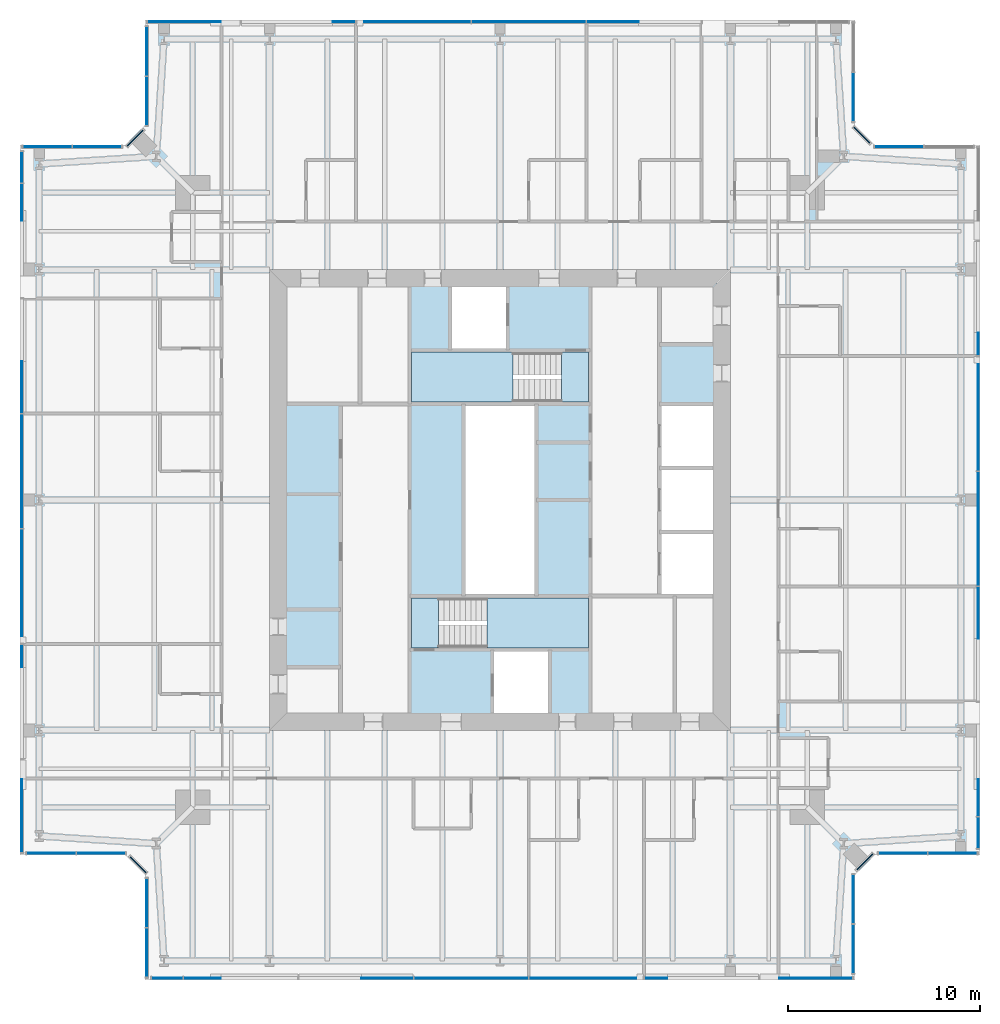
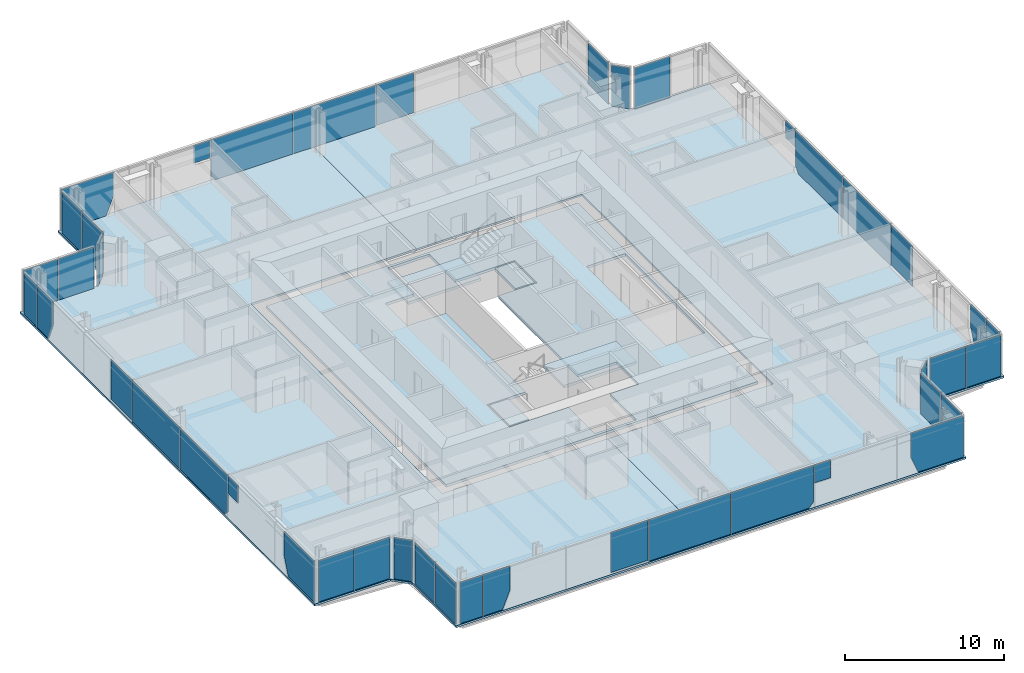
# One storey, part 10 of 18: 43 plates, 7 slabs, 18 elements without a shape of their own.
"""IFC4 building model written with IfcOpenShell, lengths in metres."""

from ifc_helpers import new_model, si_unit, direction, frame, origin, origin_2d, place, context, subcontext, project, spatial, polyline, rectangle, outline, extrude, material, layer, layer_set, type_object, element, aggregate, save


model = new_model("IFC4")

# Units and contexts
model_context = context("Model", 3, precision=1e-05, world=origin(), true_north=direction((0.0, 1.0)))
body_context = subcontext(model_context, "Body", "Model", "MODEL_VIEW")
ifc_project = project(units=[si_unit("LENGTHUNIT", "METRE"), si_unit("AREAUNIT", "SQUARE_METRE"), si_unit("VOLUMEUNIT", "CUBIC_METRE"), si_unit("PLANEANGLEUNIT", "RADIAN"), si_unit("MASSUNIT", "GRAM", prefix="KILO")], contexts=[model_context])

# Site, building, storey
site_placement = place(None, origin())
site = spatial("IfcSite", under=ifc_project, at=site_placement, CompositionType="ELEMENT")
building_placement = place(site_placement, origin())
building = spatial("IfcBuilding", under=site, at=building_placement, Name="Fenwick Lantern Interchange", CompositionType="ELEMENT")
storey_placement = place(building_placement, frame((0.0, 0.0, 266.199951171875)))
storey = spatial("IfcBuildingStorey", under=building, at=storey_placement, Name="L63", CompositionType="ELEMENT", Elevation=266.199951171875)

# Slabs
ifc_material_1 = material(Name="Concrete f'c 35 MPa", Category="concrete")
ifc_layer_1 = layer(ifc_material_1, 0.199951171875)
ifc_layer_set_1 = layer_set([ifc_layer_1], Name="CORE FLOOR SLAB 200")
slab_type_1 = type_object("IfcSlabType", Name="CORE FLOOR SLAB 200", PredefinedType="FLOOR", material=ifc_layer_set_1)
slab_1_placement = place(storey_placement, frame((0.0, 0.0, -0.199951171875)))
element("IfcSlab", 1, at=slab_1_placement, inside=storey, type_object=slab_type_1, Name="L63/SLAB/CORE", PredefinedType="FLOOR", context=body_context, shape_type="SweptSolid", body=[
    extrude(outline(polyline([(13.699951171875, 36.300048828125), (36.300048828125, 36.300048828125), (36.300048828125, 13.699951171875), (13.699951171875, 13.699951171875), (13.699951171875, 36.300048828125)]), holes=[polyline([(24.60009765625, 13.89990234375), (27.60009765625, 13.89990234375), (27.60009765625, 17.199951171875), (29.699951171875, 17.199951171875), (29.699951171875, 20.0), (26.89990234375, 20.0), (26.89990234375, 30.0), (29.699951171875, 30.0), (29.699951171875, 32.800048828125), (25.39990234375, 32.800048828125), (25.39990234375, 36.10009765625), (22.39990234375, 36.10009765625), (22.39990234375, 32.800048828125), (20.300048828125, 32.800048828125), (20.300048828125, 30.0), (23.10009765625, 30.0), (23.10009765625, 20.0), (20.300048828125, 20.0), (20.300048828125, 17.199951171875), (24.60009765625, 17.199951171875), (24.60009765625, 13.89990234375)]), polyline([(33.300048828125, 20.0), (36.10009765625, 20.0), (36.10009765625, 23.333251953125), (36.10009765625, 26.666748046875), (36.10009765625, 30.0), (33.300048828125, 30.0), (33.300048828125, 26.666748046875), (33.300048828125, 23.333251953125), (33.300048828125, 20.0)])]), origin(), (0.0, 0.0, 1.0), 0.199951171875),
])
ifc_material_2 = material(Name="Concrete f'c 35 MPa", Category="concrete")
ifc_layer_2 = layer(ifc_material_2, 0.14990234375)
ifc_layer_set_2 = layer_set([ifc_layer_2], Name="Concrete f'c 35 MPa")
slab_type_2 = type_object("IfcSlabType", Name="FLOOR SLAB 150", PredefinedType="FLOOR", material=ifc_layer_set_2)
slab_2_placement = place(storey_placement, frame((0.0, 0.0, -0.14990234375)))
element("IfcSlab", 2, at=slab_2_placement, inside=storey, type_object=slab_type_2, Name="L63/SLAB/FW", PredefinedType="FLOOR", context=body_context, shape_type="SweptSolid", body=[
    extrude(outline(polyline([(6.5, 0.0), (6.5, 5.5), (5.5, 6.5), (0.0, 6.5), (0.0, 43.5), (5.5, 43.5), (6.5, 44.5), (6.5, 50.0), (25.0, 50.0), (25.0, 37.0), (13.0, 37.0), (13.0, 13.0), (25.0, 13.0), (25.0, 0.0), (6.5, 0.0)])), origin(), (0.0, 0.0, 1.0), 0.14990234375),
])
slab_3_placement = place(storey_placement, frame((0.0, 0.0, -0.14990234375)))
element("IfcSlab", 3, at=slab_3_placement, inside=storey, type_object=slab_type_2, Name="L63/SLAB/FE", PredefinedType="FLOOR", context=body_context, shape_type="SweptSolid", body=[
    extrude(outline(polyline([(43.5, 50.0), (43.5, 44.5), (44.5, 43.5), (50.0, 43.5), (50.0, 6.5), (44.5, 6.5), (43.5, 5.5), (43.5, 0.0), (25.0, 0.0), (25.0, 13.0), (37.0, 13.0), (37.0, 37.0), (25.0, 37.0), (25.0, 50.0), (43.5, 50.0)])), origin(), (0.0, 0.0, 1.0), 0.14990234375),
])

# Curtain wall, plates
ifc_material_3 = material(Name="Aluminium curtain wall frame", Category="aluminium")
curtain_wall_type = type_object("IfcCurtainWallType", Name="HOTEL CURTAIN WALL", PredefinedType="USERDEFINED", material=ifc_material_3)
curtain_wall_1_placement = place(storey_placement, origin())
curtain_wall_1 = element("IfcCurtainWall", 4, at=curtain_wall_1_placement, inside=storey, type_object=curtain_wall_type, Name="Hotel curtain wall 01", ObjectType="HOTEL CURTAIN WALL", PredefinedType="USERDEFINED")
ifc_material_4 = material(Name="Vision glass, acoustic laminated double glazed unit", Category="glass")
ifc_layer_3 = layer(ifc_material_4, 0.052001953125)
ifc_layer_set_3 = layer_set([ifc_layer_3], Name="HOTEL CURTAIN WALL PANEL 52")
plate_type = type_object("IfcPlateType", Name="HOTEL CURTAIN WALL PANEL 52", PredefinedType="CURTAIN_PANEL", material=ifc_layer_set_3)
plate_1_placement = place(storey_placement, frame((7.6650390625, 0.10009765625, 0.0), z_axis=(0.0, 0.0, 1.0), x_axis=(1.0, 0.0, 0.0)))
plate_1 = element("IfcPlate", 5, at=plate_1_placement, type_object=plate_type, Name="L63/CW/01/P00", PredefinedType="CURTAIN_PANEL", context=body_context, shape_type="SweptSolid", body=[
    extrude(rectangle(XDim=1.610107421875, YDim=0.052001953125, at=origin_2d()), origin(), (0.0, 0.0, 1.0), 3.14990234375),
])
plate_2_placement = place(storey_placement, frame((6.60009765625, 0.10009765625, 0.0), z_axis=(0.0, 0.0, 1.0), x_axis=(1.0, 0.0, 0.0)))
plate_2 = element("IfcPlate", 6, at=plate_2_placement, type_object=plate_type, Name="L63/CW/01/P01a", PredefinedType="CURTAIN_PANEL", context=body_context, shape_type="SweptSolid", body=[
    extrude(outline(polyline([(1.929931640625, 0.0), (3.328369140625, 0.0), (3.859375, 1.31298828125), (3.859375, 3.150146484375), (1.929931640625, 3.150146484375), (1.929931640625, 0.0)])), frame((0.0, 0.02587890625, 0.0), z_axis=(0.0, -1.0, 0.0), x_axis=(1.0, 0.0, 0.0)), (0.0, 0.0, 1.0), 0.052001953125),
])
plate_3_placement = place(storey_placement, frame((6.60009765625, 0.10009765625, 0.0966796875), z_axis=(0.0, 0.0, 1.0), x_axis=(1.0, 0.0, 0.0)))
plate_3 = element("IfcPlate", 7, at=plate_3_placement, type_object=plate_type, Name="L63/CW/01/P02a", PredefinedType="CURTAIN_PANEL", context=body_context, shape_type="SweptSolid", body=[
    extrude(outline(polyline([(11.180419921875, 0.0), (13.8701171875, 0.0), (13.8701171875, 3.053466796875), (11.180419921875, 3.053466796875), (11.180419921875, 0.0)])), frame((0.0, 0.02587890625, 0.0), z_axis=(0.0, -1.0, 0.0), x_axis=(1.0, 0.0, 0.0)), (0.0, 0.0, 1.0), 0.052001953125),
])
plate_4_placement = place(storey_placement, frame((23.5, 0.10009765625, 0.0), z_axis=(0.0, 0.0, 1.0), x_axis=(1.0, 0.0, 0.0)))
plate_4 = element("IfcPlate", 8, at=plate_4_placement, type_object=plate_type, Name="L63/CW/01/P03", PredefinedType="CURTAIN_PANEL", context=body_context, shape_type="SweptSolid", body=[
    extrude(rectangle(XDim=5.93994140625, YDim=0.052001953125, at=origin_2d()), origin(), (0.0, 0.0, 1.0), 3.14990234375),
])
plate_5_placement = place(storey_placement, frame((6.60009765625, 0.10009765625, 0.0), z_axis=(0.0, 0.0, 1.0), x_axis=(1.0, 0.0, 0.0)))
plate_5 = element("IfcPlate", 9, at=plate_5_placement, type_object=plate_type, Name="L63/CW/01/P04a", PredefinedType="CURTAIN_PANEL", context=body_context, shape_type="SweptSolid", body=[
    extrude(outline(polyline([(19.929931640625, 0.0), (25.5341796875, 0.0), (25.8701171875, 0.380615234375), (25.8701171875, 3.150146484375), (19.929931640625, 3.150146484375), (19.929931640625, 0.0)])), frame((0.0, 0.02587890625, 0.0), z_axis=(0.0, -1.0, 0.0), x_axis=(1.0, 0.0, 0.0)), (0.0, 0.0, 1.0), 0.052001953125),
])
plate_6_placement = place(storey_placement, frame((6.60009765625, 0.10009765625, 1.79736328125), z_axis=(0.0, 0.0, 1.0), x_axis=(1.0, 0.0, 0.0)))
plate_6 = element("IfcPlate", 10, at=plate_6_placement, type_object=plate_type, Name="L63/CW/01/P05a", PredefinedType="CURTAIN_PANEL", context=body_context, shape_type="SweptSolid", body=[
    extrude(outline(polyline([(25.929931640625, 0.0), (27.1201171875, 0.0), (27.1201171875, 1.352783203125), (25.929931640625, 1.352783203125), (25.929931640625, 0.0)])), frame((0.0, 0.02587890625, 0.0), z_axis=(0.0, -1.0, 0.0), x_axis=(1.0, 0.0, 0.0)), (0.0, 0.0, 1.0), 0.052001953125),
])
plate_7_placement = place(storey_placement, frame((6.60009765625, 0.10009765625, 0.0), z_axis=(0.0, 0.0, 1.0), x_axis=(1.0, 0.0, 0.0)))
plate_7 = element("IfcPlate", 11, at=plate_7_placement, type_object=plate_type, Name="L63/CW/01/P06a", PredefinedType="CURTAIN_PANEL", context=body_context, shape_type="SweptSolid", body=[
    extrude(outline(polyline([(33.471435546875, 0.0), (36.739990234375, 0.0), (36.739990234375, 3.150146484375), (32.940673828125, 3.150146484375), (32.940673828125, 1.31298828125), (33.471435546875, 0.0)])), frame((0.0, 0.02587890625, 0.0), z_axis=(0.0, -1.0, 0.0), x_axis=(1.0, 0.0, 0.0)), (0.0, 0.0, 1.0), 0.052001953125),
])
aggregate(curtain_wall_1, [plate_1, plate_2, plate_3, plate_4, plate_5, plate_6, plate_7])

curtain_wall_2_placement = place(storey_placement, origin())
curtain_wall_2 = element("IfcCurtainWall", 12, at=curtain_wall_2_placement, inside=storey, type_object=curtain_wall_type, Name="Hotel curtain wall 02", ObjectType="HOTEL CURTAIN WALL", PredefinedType="USERDEFINED")
plate_8_placement = place(storey_placement, frame((43.39990234375, 1.625244140625, 0.0), z_axis=(0.0, 0.0, 1.0), x_axis=(0.0, 1.0, 0.0)))
plate_8 = element("IfcPlate", 13, at=plate_8_placement, type_object=plate_type, Name="L63/CW/02/P00", PredefinedType="CURTAIN_PANEL", context=body_context, shape_type="SweptSolid", body=[
    extrude(rectangle(XDim=2.53076171875, YDim=0.052001953125, at=origin_2d()), origin(), (0.0, 0.0, 1.0), 3.14990234375),
])
plate_9_placement = place(storey_placement, frame((43.39990234375, 4.216064453125, 0.0), z_axis=(0.0, 0.0, 1.0), x_axis=(0.0, 1.0, 0.0)))
plate_9 = element("IfcPlate", 14, at=plate_9_placement, type_object=plate_type, Name="L63/CW/02/P01", PredefinedType="CURTAIN_PANEL", context=body_context, shape_type="SweptSolid", body=[
    extrude(rectangle(XDim=2.53076171875, YDim=0.052001953125, at=origin_2d()), origin(), (0.0, 0.0, 1.0), 3.14990234375),
])
aggregate(curtain_wall_2, [plate_8, plate_9])

# Curtain wall, plate
curtain_wall_3_placement = place(storey_placement, origin())
curtain_wall_3 = element("IfcCurtainWall", 15, at=curtain_wall_3_placement, inside=storey, type_object=curtain_wall_type, Name="Hotel curtain wall 03", ObjectType="HOTEL CURTAIN WALL", PredefinedType="USERDEFINED")
plate_10_placement = place(storey_placement, frame((44.0, 6.141357421875, 0.0), z_axis=(0.0, 0.0, 1.0), x_axis=(0.707106781187, 0.707106781187, 0.0)))
plate_10 = element("IfcPlate", 16, at=plate_10_placement, type_object=plate_type, Name="L63/CW/03/P00", PredefinedType="CURTAIN_PANEL", context=body_context, shape_type="SweptSolid", body=[
    extrude(rectangle(XDim=1.177001953125, YDim=0.052001953125, at=origin_2d()), origin(), (0.0, 0.0, 1.0), 3.14990234375),
])
aggregate(curtain_wall_3, [plate_10])

# Curtain wall, plates
curtain_wall_4_placement = place(storey_placement, origin())
curtain_wall_4 = element("IfcCurtainWall", 17, at=curtain_wall_4_placement, inside=storey, type_object=curtain_wall_type, Name="Hotel curtain wall 04", ObjectType="HOTEL CURTAIN WALL", PredefinedType="USERDEFINED")
plate_11_placement = place(storey_placement, frame((45.98388671875, 6.60009765625, 0.0), z_axis=(0.0, 0.0, 1.0), x_axis=(1.0, 0.0, 0.0)))
plate_11 = element("IfcPlate", 18, at=plate_11_placement, type_object=plate_type, Name="L63/CW/04/P00", PredefinedType="CURTAIN_PANEL", context=body_context, shape_type="SweptSolid", body=[
    extrude(rectangle(XDim=2.53076171875, YDim=0.052001953125, at=origin_2d()), origin(), (0.0, 0.0, 1.0), 3.14990234375),
])
plate_12_placement = place(storey_placement, frame((48.57470703125, 6.60009765625, 0.0), z_axis=(0.0, 0.0, 1.0), x_axis=(1.0, 0.0, 0.0)))
plate_12 = element("IfcPlate", 19, at=plate_12_placement, type_object=plate_type, Name="L63/CW/04/P01", PredefinedType="CURTAIN_PANEL", context=body_context, shape_type="SweptSolid", body=[
    extrude(rectangle(XDim=2.53076171875, YDim=0.052001953125, at=origin_2d()), origin(), (0.0, 0.0, 1.0), 3.14990234375),
])
aggregate(curtain_wall_4, [plate_11, plate_12])

curtain_wall_5_placement = place(storey_placement, origin())
curtain_wall_5 = element("IfcCurtainWall", 20, at=curtain_wall_5_placement, inside=storey, type_object=curtain_wall_type, Name="Hotel curtain wall 05", ObjectType="HOTEL CURTAIN WALL", PredefinedType="USERDEFINED")
plate_13_placement = place(storey_placement, frame((49.89990234375, 7.6650390625, 0.0), z_axis=(0.0, 0.0, 1.0), x_axis=(0.0, 1.0, 0.0)))
plate_13 = element("IfcPlate", 21, at=plate_13_placement, type_object=plate_type, Name="L63/CW/05/P00", PredefinedType="CURTAIN_PANEL", context=body_context, shape_type="SweptSolid", body=[
    extrude(rectangle(XDim=1.610107421875, YDim=0.052001953125, at=origin_2d()), origin(), (0.0, 0.0, 1.0), 3.14990234375),
])
plate_14_placement = place(storey_placement, frame((49.89990234375, 6.60009765625, 0.0), z_axis=(0.0, 0.0, 1.0), x_axis=(0.0, 1.0, 0.0)))
plate_14 = element("IfcPlate", 22, at=plate_14_placement, type_object=plate_type, Name="L63/CW/05/P01a", PredefinedType="CURTAIN_PANEL", context=body_context, shape_type="SweptSolid", body=[
    extrude(outline(polyline([(1.929931640625, 0.0), (3.328369140625, 0.0), (3.859375, 1.31298828125), (3.859375, 3.150146484375), (1.929931640625, 3.150146484375), (1.929931640625, 0.0)])), frame((0.0, 0.02587890625, 0.0), z_axis=(0.0, -1.0, 0.0), x_axis=(1.0, 0.0, 0.0)), (0.0, 0.0, 1.0), 0.052001953125),
])
plate_15_placement = place(storey_placement, frame((49.89990234375, 6.60009765625, 0.0966796875), z_axis=(0.0, 0.0, 1.0), x_axis=(0.0, 1.0, 0.0)))
plate_15 = element("IfcPlate", 23, at=plate_15_placement, type_object=plate_type, Name="L63/CW/05/P02a", PredefinedType="CURTAIN_PANEL", context=body_context, shape_type="SweptSolid", body=[
    extrude(outline(polyline([(11.180419921875, 0.0), (13.8701171875, 0.0), (13.8701171875, 3.053466796875), (11.180419921875, 3.053466796875), (11.180419921875, 0.0)])), frame((0.0, 0.02587890625, 0.0), z_axis=(0.0, -1.0, 0.0), x_axis=(1.0, 0.0, 0.0)), (0.0, 0.0, 1.0), 0.052001953125),
])
plate_16_placement = place(storey_placement, frame((49.89990234375, 23.5, 0.0), z_axis=(0.0, 0.0, 1.0), x_axis=(0.0, 1.0, 0.0)))
plate_16 = element("IfcPlate", 24, at=plate_16_placement, type_object=plate_type, Name="L63/CW/05/P03", PredefinedType="CURTAIN_PANEL", context=body_context, shape_type="SweptSolid", body=[
    extrude(rectangle(XDim=5.93994140625, YDim=0.052001953125, at=origin_2d()), origin(), (0.0, 0.0, 1.0), 3.14990234375),
])
plate_17_placement = place(storey_placement, frame((49.89990234375, 6.60009765625, 0.0), z_axis=(0.0, 0.0, 1.0), x_axis=(0.0, 1.0, 0.0)))
plate_17 = element("IfcPlate", 25, at=plate_17_placement, type_object=plate_type, Name="L63/CW/05/P04a", PredefinedType="CURTAIN_PANEL", context=body_context, shape_type="SweptSolid", body=[
    extrude(outline(polyline([(19.929931640625, 0.0), (25.5341796875, 0.0), (25.8701171875, 0.380615234375), (25.8701171875, 3.150146484375), (19.929931640625, 3.150146484375), (19.929931640625, 0.0)])), frame((0.0, 0.02587890625, 0.0), z_axis=(0.0, -1.0, 0.0), x_axis=(1.0, 0.0, 0.0)), (0.0, 0.0, 1.0), 0.052001953125),
])
plate_18_placement = place(storey_placement, frame((49.89990234375, 6.60009765625, 1.79736328125), z_axis=(0.0, 0.0, 1.0), x_axis=(0.0, 1.0, 0.0)))
plate_18 = element("IfcPlate", 26, at=plate_18_placement, type_object=plate_type, Name="L63/CW/05/P05a", PredefinedType="CURTAIN_PANEL", context=body_context, shape_type="SweptSolid", body=[
    extrude(outline(polyline([(25.929931640625, 0.0), (27.1201171875, 0.0), (27.1201171875, 1.352783203125), (25.929931640625, 1.352783203125), (25.929931640625, 0.0)])), frame((0.0, 0.02587890625, 0.0), z_axis=(0.0, -1.0, 0.0), x_axis=(1.0, 0.0, 0.0)), (0.0, 0.0, 1.0), 0.052001953125),
])
aggregate(curtain_wall_5, [plate_13, plate_14, plate_15, plate_16, plate_17, plate_18])

# Curtain wall, plate
curtain_wall_6_placement = place(storey_placement, origin())
curtain_wall_6 = element("IfcCurtainWall", 27, at=curtain_wall_6_placement, inside=storey, type_object=curtain_wall_type, Name="Hotel curtain wall 06", ObjectType="HOTEL CURTAIN WALL", PredefinedType="USERDEFINED")
plate_19_placement = place(storey_placement, frame((45.783935546875, 43.39990234375, 0.0), z_axis=(0.0, 0.0, 1.0), x_axis=(-1.0, 0.0, 0.0)))
plate_19 = element("IfcPlate", 28, at=plate_19_placement, type_object=plate_type, Name="L63/CW/06/P01", PredefinedType="CURTAIN_PANEL", context=body_context, shape_type="SweptSolid", body=[
    extrude(rectangle(XDim=2.53076171875, YDim=0.052001953125, at=origin_2d()), origin(), (0.0, 0.0, 1.0), 3.14990234375),
])
aggregate(curtain_wall_6, [plate_19])

curtain_wall_7_placement = place(storey_placement, origin())
curtain_wall_7 = element("IfcCurtainWall", 29, at=curtain_wall_7_placement, inside=storey, type_object=curtain_wall_type, Name="Hotel curtain wall 07", ObjectType="HOTEL CURTAIN WALL", PredefinedType="USERDEFINED")
plate_20_placement = place(storey_placement, frame((43.858642578125, 44.0, 0.0), z_axis=(0.0, 0.0, 1.0), x_axis=(-0.707106781187, 0.707106781187, 0.0)))
plate_20 = element("IfcPlate", 30, at=plate_20_placement, type_object=plate_type, Name="L63/CW/07/P00", PredefinedType="CURTAIN_PANEL", context=body_context, shape_type="SweptSolid", body=[
    extrude(rectangle(XDim=1.177001953125, YDim=0.052001953125, at=origin_2d()), origin(), (0.0, 0.0, 1.0), 3.14990234375),
])
aggregate(curtain_wall_7, [plate_20])

curtain_wall_8_placement = place(storey_placement, origin())
curtain_wall_8 = element("IfcCurtainWall", 31, at=curtain_wall_8_placement, inside=storey, type_object=curtain_wall_type, Name="Hotel curtain wall 08", ObjectType="HOTEL CURTAIN WALL", PredefinedType="USERDEFINED")
plate_21_placement = place(storey_placement, frame((43.39990234375, 45.98388671875, 0.0), z_axis=(0.0, 0.0, 1.0), x_axis=(0.0, 1.0, 0.0)))
plate_21 = element("IfcPlate", 32, at=plate_21_placement, type_object=plate_type, Name="L63/CW/08/P00", PredefinedType="CURTAIN_PANEL", context=body_context, shape_type="SweptSolid", body=[
    extrude(rectangle(XDim=2.53076171875, YDim=0.052001953125, at=origin_2d()), origin(), (0.0, 0.0, 1.0), 3.14990234375),
])
aggregate(curtain_wall_8, [plate_21])

# Curtain wall, plates
curtain_wall_9_placement = place(storey_placement, origin())
curtain_wall_9 = element("IfcCurtainWall", 33, at=curtain_wall_9_placement, inside=storey, type_object=curtain_wall_type, Name="Hotel curtain wall 09", ObjectType="HOTEL CURTAIN WALL", PredefinedType="USERDEFINED")
plate_22_placement = place(storey_placement, frame((43.39990234375, 49.89990234375, 0.0966796875), z_axis=(0.0, 0.0, 1.0), x_axis=(-1.0, 0.0, 0.0)))
plate_22 = element("IfcPlate", 34, at=plate_22_placement, type_object=plate_type, Name="L63/CW/09/P02a", PredefinedType="CURTAIN_PANEL", context=body_context, shape_type="SweptSolid", body=[
    extrude(outline(polyline([(11.180419921875, 0.0), (13.8701171875, 0.0), (13.8701171875, 3.053466796875), (11.180419921875, 3.053466796875), (11.180419921875, 0.0)])), frame((0.0, 0.02587890625, 0.0), z_axis=(0.0, -1.0, 0.0), x_axis=(1.0, 0.0, 0.0)), (0.0, 0.0, 1.0), 0.052001953125),
])
plate_23_placement = place(storey_placement, frame((26.5, 49.89990234375, 0.0), z_axis=(0.0, 0.0, 1.0), x_axis=(-1.0, 0.0, 0.0)))
plate_23 = element("IfcPlate", 35, at=plate_23_placement, type_object=plate_type, Name="L63/CW/09/P03", PredefinedType="CURTAIN_PANEL", context=body_context, shape_type="SweptSolid", body=[
    extrude(rectangle(XDim=5.93994140625, YDim=0.052001953125, at=origin_2d()), origin(), (0.0, 0.0, 1.0), 3.14990234375),
])
plate_24_placement = place(storey_placement, frame((43.39990234375, 49.89990234375, 0.0), z_axis=(0.0, 0.0, 1.0), x_axis=(-1.0, 0.0, 0.0)))
plate_24 = element("IfcPlate", 36, at=plate_24_placement, type_object=plate_type, Name="L63/CW/09/P04a", PredefinedType="CURTAIN_PANEL", context=body_context, shape_type="SweptSolid", body=[
    extrude(outline(polyline([(19.929931640625, 0.0), (25.5341796875, 0.0), (25.8701171875, 0.380615234375), (25.8701171875, 3.150146484375), (19.929931640625, 3.150146484375), (19.929931640625, 0.0)])), frame((0.0, 0.02587890625, 0.0), z_axis=(0.0, -1.0, 0.0), x_axis=(1.0, 0.0, 0.0)), (0.0, 0.0, 1.0), 0.052001953125),
])
plate_25_placement = place(storey_placement, frame((43.39990234375, 49.89990234375, 1.79736328125), z_axis=(0.0, 0.0, 1.0), x_axis=(-1.0, 0.0, 0.0)))
plate_25 = element("IfcPlate", 37, at=plate_25_placement, type_object=plate_type, Name="L63/CW/09/P05a", PredefinedType="CURTAIN_PANEL", context=body_context, shape_type="SweptSolid", body=[
    extrude(outline(polyline([(25.929931640625, 0.0), (27.1201171875, 0.0), (27.1201171875, 1.352783203125), (25.929931640625, 1.352783203125), (25.929931640625, 0.0)])), frame((0.0, 0.02587890625, 0.0), z_axis=(0.0, -1.0, 0.0), x_axis=(1.0, 0.0, 0.0)), (0.0, 0.0, 1.0), 0.052001953125),
])
plate_26_placement = place(storey_placement, frame((43.39990234375, 49.89990234375, 0.0), z_axis=(0.0, 0.0, 1.0), x_axis=(-1.0, 0.0, 0.0)))
plate_26 = element("IfcPlate", 38, at=plate_26_placement, type_object=plate_type, Name="L63/CW/09/P06a", PredefinedType="CURTAIN_PANEL", context=body_context, shape_type="SweptSolid", body=[
    extrude(outline(polyline([(33.471435546875, 0.0), (36.739990234375, 0.0), (36.739990234375, 3.150146484375), (32.940673828125, 3.150146484375), (32.940673828125, 1.31298828125), (33.471435546875, 0.0)])), frame((0.0, 0.02587890625, 0.0), z_axis=(0.0, -1.0, 0.0), x_axis=(1.0, 0.0, 0.0)), (0.0, 0.0, 1.0), 0.052001953125),
])
aggregate(curtain_wall_9, [plate_22, plate_23, plate_24, plate_25, plate_26])

curtain_wall_10_placement = place(storey_placement, origin())
curtain_wall_10 = element("IfcCurtainWall", 39, at=curtain_wall_10_placement, inside=storey, type_object=curtain_wall_type, Name="Hotel curtain wall 10", ObjectType="HOTEL CURTAIN WALL", PredefinedType="USERDEFINED")
plate_27_placement = place(storey_placement, frame((6.60009765625, 48.374755859375, 0.0), z_axis=(0.0, 0.0, 1.0), x_axis=(0.0, -1.0, 0.0)))
plate_27 = element("IfcPlate", 40, at=plate_27_placement, type_object=plate_type, Name="L63/CW/10/P00", PredefinedType="CURTAIN_PANEL", context=body_context, shape_type="SweptSolid", body=[
    extrude(rectangle(XDim=2.53076171875, YDim=0.052001953125, at=origin_2d()), origin(), (0.0, 0.0, 1.0), 3.14990234375),
])
plate_28_placement = place(storey_placement, frame((6.60009765625, 45.783935546875, 0.0), z_axis=(0.0, 0.0, 1.0), x_axis=(0.0, -1.0, 0.0)))
plate_28 = element("IfcPlate", 41, at=plate_28_placement, type_object=plate_type, Name="L63/CW/10/P01", PredefinedType="CURTAIN_PANEL", context=body_context, shape_type="SweptSolid", body=[
    extrude(rectangle(XDim=2.53076171875, YDim=0.052001953125, at=origin_2d()), origin(), (0.0, 0.0, 1.0), 3.14990234375),
])
aggregate(curtain_wall_10, [plate_27, plate_28])

# Curtain wall, plate
curtain_wall_11_placement = place(storey_placement, origin())
curtain_wall_11 = element("IfcCurtainWall", 42, at=curtain_wall_11_placement, inside=storey, type_object=curtain_wall_type, Name="Hotel curtain wall 11", ObjectType="HOTEL CURTAIN WALL", PredefinedType="USERDEFINED")
plate_29_placement = place(storey_placement, frame((6.0, 43.858642578125, 0.0), z_axis=(0.0, 0.0, 1.0), x_axis=(-0.707106781187, -0.707106781187, 0.0)))
plate_29 = element("IfcPlate", 43, at=plate_29_placement, type_object=plate_type, Name="L63/CW/11/P00", PredefinedType="CURTAIN_PANEL", context=body_context, shape_type="SweptSolid", body=[
    extrude(rectangle(XDim=1.177001953125, YDim=0.052001953125, at=origin_2d()), origin(), (0.0, 0.0, 1.0), 3.14990234375),
])
aggregate(curtain_wall_11, [plate_29])

# Curtain wall, plates
curtain_wall_12_placement = place(storey_placement, origin())
curtain_wall_12 = element("IfcCurtainWall", 44, at=curtain_wall_12_placement, inside=storey, type_object=curtain_wall_type, Name="Hotel curtain wall 12", ObjectType="HOTEL CURTAIN WALL", PredefinedType="USERDEFINED")
plate_30_placement = place(storey_placement, frame((4.01611328125, 43.39990234375, 0.0), z_axis=(0.0, 0.0, 1.0), x_axis=(-1.0, 0.0, 0.0)))
plate_30 = element("IfcPlate", 45, at=plate_30_placement, type_object=plate_type, Name="L63/CW/12/P00", PredefinedType="CURTAIN_PANEL", context=body_context, shape_type="SweptSolid", body=[
    extrude(rectangle(XDim=2.53076171875, YDim=0.052001953125, at=origin_2d()), origin(), (0.0, 0.0, 1.0), 3.14990234375),
])
plate_31_placement = place(storey_placement, frame((1.42529296875, 43.39990234375, 0.0), z_axis=(0.0, 0.0, 1.0), x_axis=(-1.0, 0.0, 0.0)))
plate_31 = element("IfcPlate", 46, at=plate_31_placement, type_object=plate_type, Name="L63/CW/12/P01", PredefinedType="CURTAIN_PANEL", context=body_context, shape_type="SweptSolid", body=[
    extrude(rectangle(XDim=2.53076171875, YDim=0.052001953125, at=origin_2d()), origin(), (0.0, 0.0, 1.0), 3.14990234375),
])
aggregate(curtain_wall_12, [plate_30, plate_31])

curtain_wall_13_placement = place(storey_placement, origin())
curtain_wall_13 = element("IfcCurtainWall", 47, at=curtain_wall_13_placement, inside=storey, type_object=curtain_wall_type, Name="Hotel curtain wall 13", ObjectType="HOTEL CURTAIN WALL", PredefinedType="USERDEFINED")
plate_32_placement = place(storey_placement, frame((0.10009765625, 42.3349609375, 0.0), z_axis=(0.0, 0.0, 1.0), x_axis=(0.0, -1.0, 0.0)))
plate_32 = element("IfcPlate", 48, at=plate_32_placement, type_object=plate_type, Name="L63/CW/13/P00", PredefinedType="CURTAIN_PANEL", context=body_context, shape_type="SweptSolid", body=[
    extrude(rectangle(XDim=1.610107421875, YDim=0.052001953125, at=origin_2d()), origin(), (0.0, 0.0, 1.0), 3.14990234375),
])
plate_33_placement = place(storey_placement, frame((0.10009765625, 43.39990234375, 0.0), z_axis=(0.0, 0.0, 1.0), x_axis=(0.0, -1.0, 0.0)))
plate_33 = element("IfcPlate", 49, at=plate_33_placement, type_object=plate_type, Name="L63/CW/13/P01a", PredefinedType="CURTAIN_PANEL", context=body_context, shape_type="SweptSolid", body=[
    extrude(outline(polyline([(1.929931640625, 0.0), (3.328369140625, 0.0), (3.859375, 1.31298828125), (3.859375, 3.150146484375), (1.929931640625, 3.150146484375), (1.929931640625, 0.0)])), frame((0.0, 0.02587890625, 0.0), z_axis=(0.0, -1.0, 0.0), x_axis=(1.0, 0.0, 0.0)), (0.0, 0.0, 1.0), 0.052001953125),
])
plate_34_placement = place(storey_placement, frame((0.10009765625, 43.39990234375, 0.0966796875), z_axis=(0.0, 0.0, 1.0), x_axis=(0.0, -1.0, 0.0)))
plate_34 = element("IfcPlate", 50, at=plate_34_placement, type_object=plate_type, Name="L63/CW/13/P02a", PredefinedType="CURTAIN_PANEL", context=body_context, shape_type="SweptSolid", body=[
    extrude(outline(polyline([(11.180419921875, 0.0), (13.8701171875, 0.0), (13.8701171875, 3.053466796875), (11.180419921875, 3.053466796875), (11.180419921875, 0.0)])), frame((0.0, 0.02587890625, 0.0), z_axis=(0.0, -1.0, 0.0), x_axis=(1.0, 0.0, 0.0)), (0.0, 0.0, 1.0), 0.052001953125),
])
plate_35_placement = place(storey_placement, frame((0.10009765625, 26.5, 0.0), z_axis=(0.0, 0.0, 1.0), x_axis=(0.0, -1.0, 0.0)))
plate_35 = element("IfcPlate", 51, at=plate_35_placement, type_object=plate_type, Name="L63/CW/13/P03", PredefinedType="CURTAIN_PANEL", context=body_context, shape_type="SweptSolid", body=[
    extrude(rectangle(XDim=5.93994140625, YDim=0.052001953125, at=origin_2d()), origin(), (0.0, 0.0, 1.0), 3.14990234375),
])
plate_36_placement = place(storey_placement, frame((0.10009765625, 43.39990234375, 0.0), z_axis=(0.0, 0.0, 1.0), x_axis=(0.0, -1.0, 0.0)))
plate_36 = element("IfcPlate", 52, at=plate_36_placement, type_object=plate_type, Name="L63/CW/13/P04a", PredefinedType="CURTAIN_PANEL", context=body_context, shape_type="SweptSolid", body=[
    extrude(outline(polyline([(19.929931640625, 0.0), (25.5341796875, 0.0), (25.8701171875, 0.380615234375), (25.8701171875, 3.150146484375), (19.929931640625, 3.150146484375), (19.929931640625, 0.0)])), frame((0.0, 0.02587890625, 0.0), z_axis=(0.0, -1.0, 0.0), x_axis=(1.0, 0.0, 0.0)), (0.0, 0.0, 1.0), 0.052001953125),
])
plate_37_placement = place(storey_placement, frame((0.10009765625, 43.39990234375, 1.79736328125), z_axis=(0.0, 0.0, 1.0), x_axis=(0.0, -1.0, 0.0)))
plate_37 = element("IfcPlate", 53, at=plate_37_placement, type_object=plate_type, Name="L63/CW/13/P05a", PredefinedType="CURTAIN_PANEL", context=body_context, shape_type="SweptSolid", body=[
    extrude(outline(polyline([(25.929931640625, 0.0), (27.1201171875, 0.0), (27.1201171875, 1.352783203125), (25.929931640625, 1.352783203125), (25.929931640625, 0.0)])), frame((0.0, 0.02587890625, 0.0), z_axis=(0.0, -1.0, 0.0), x_axis=(1.0, 0.0, 0.0)), (0.0, 0.0, 1.0), 0.052001953125),
])
plate_38_placement = place(storey_placement, frame((0.10009765625, 43.39990234375, 0.0), z_axis=(0.0, 0.0, 1.0), x_axis=(0.0, -1.0, 0.0)))
plate_38 = element("IfcPlate", 54, at=plate_38_placement, type_object=plate_type, Name="L63/CW/13/P06a", PredefinedType="CURTAIN_PANEL", context=body_context, shape_type="SweptSolid", body=[
    extrude(outline(polyline([(33.471435546875, 0.0), (36.739990234375, 0.0), (36.739990234375, 3.150146484375), (32.940673828125, 3.150146484375), (32.940673828125, 1.31298828125), (33.471435546875, 0.0)])), frame((0.0, 0.02587890625, 0.0), z_axis=(0.0, -1.0, 0.0), x_axis=(1.0, 0.0, 0.0)), (0.0, 0.0, 1.0), 0.052001953125),
])
aggregate(curtain_wall_13, [plate_32, plate_33, plate_34, plate_35, plate_36, plate_37, plate_38])

curtain_wall_14_placement = place(storey_placement, origin())
curtain_wall_14 = element("IfcCurtainWall", 55, at=curtain_wall_14_placement, inside=storey, type_object=curtain_wall_type, Name="Hotel curtain wall 14", ObjectType="HOTEL CURTAIN WALL", PredefinedType="USERDEFINED")
plate_39_placement = place(storey_placement, frame((1.625244140625, 6.60009765625, 0.0), z_axis=(0.0, 0.0, 1.0), x_axis=(1.0, 0.0, 0.0)))
plate_39 = element("IfcPlate", 56, at=plate_39_placement, type_object=plate_type, Name="L63/CW/14/P00", PredefinedType="CURTAIN_PANEL", context=body_context, shape_type="SweptSolid", body=[
    extrude(rectangle(XDim=2.53076171875, YDim=0.052001953125, at=origin_2d()), origin(), (0.0, 0.0, 1.0), 3.14990234375),
])
plate_40_placement = place(storey_placement, frame((4.216064453125, 6.60009765625, 0.0), z_axis=(0.0, 0.0, 1.0), x_axis=(1.0, 0.0, 0.0)))
plate_40 = element("IfcPlate", 57, at=plate_40_placement, type_object=plate_type, Name="L63/CW/14/P01", PredefinedType="CURTAIN_PANEL", context=body_context, shape_type="SweptSolid", body=[
    extrude(rectangle(XDim=2.53076171875, YDim=0.052001953125, at=origin_2d()), origin(), (0.0, 0.0, 1.0), 3.14990234375),
])
aggregate(curtain_wall_14, [plate_39, plate_40])

# Curtain wall, plate
curtain_wall_15_placement = place(storey_placement, origin())
curtain_wall_15 = element("IfcCurtainWall", 58, at=curtain_wall_15_placement, inside=storey, type_object=curtain_wall_type, Name="Hotel curtain wall 15", ObjectType="HOTEL CURTAIN WALL", PredefinedType="USERDEFINED")
plate_41_placement = place(storey_placement, frame((6.141357421875, 6.0, 0.0), z_axis=(0.0, 0.0, 1.0), x_axis=(0.707106781187, -0.707106781187, 0.0)))
plate_41 = element("IfcPlate", 59, at=plate_41_placement, type_object=plate_type, Name="L63/CW/15/P00", PredefinedType="CURTAIN_PANEL", context=body_context, shape_type="SweptSolid", body=[
    extrude(rectangle(XDim=1.177001953125, YDim=0.052001953125, at=origin_2d()), origin(), (0.0, 0.0, 1.0), 3.14990234375),
])
aggregate(curtain_wall_15, [plate_41])

# Curtain wall, plates
curtain_wall_16_placement = place(storey_placement, origin())
curtain_wall_16 = element("IfcCurtainWall", 60, at=curtain_wall_16_placement, inside=storey, type_object=curtain_wall_type, Name="Hotel curtain wall 16", ObjectType="HOTEL CURTAIN WALL", PredefinedType="USERDEFINED")
plate_42_placement = place(storey_placement, frame((6.60009765625, 4.01611328125, 0.0), z_axis=(0.0, 0.0, 1.0), x_axis=(0.0, -1.0, 0.0)))
plate_42 = element("IfcPlate", 61, at=plate_42_placement, type_object=plate_type, Name="L63/CW/16/P00", PredefinedType="CURTAIN_PANEL", context=body_context, shape_type="SweptSolid", body=[
    extrude(rectangle(XDim=2.53076171875, YDim=0.052001953125, at=origin_2d()), origin(), (0.0, 0.0, 1.0), 3.14990234375),
])
plate_43_placement = place(storey_placement, frame((6.60009765625, 1.42529296875, 0.0), z_axis=(0.0, 0.0, 1.0), x_axis=(0.0, -1.0, 0.0)))
plate_43 = element("IfcPlate", 62, at=plate_43_placement, type_object=plate_type, Name="L63/CW/16/P01", PredefinedType="CURTAIN_PANEL", context=body_context, shape_type="SweptSolid", body=[
    extrude(rectangle(XDim=2.53076171875, YDim=0.052001953125, at=origin_2d()), origin(), (0.0, 0.0, 1.0), 3.14990234375),
])
aggregate(curtain_wall_16, [plate_42, plate_43])

# Stair, slabs
ifc_material_5 = material(Name="Precast concrete f'c 35 MPa", Category="concrete")
stair_type = type_object("IfcStairType", Name="EXIT STAIR 1200", PredefinedType="HALF_TURN_STAIR", material=ifc_material_5)
stair_1_placement = place(storey_placement, origin())
stair_1 = element("IfcStair", 63, at=stair_1_placement, inside=storey, type_object=stair_type, Name="Exit stair ST1", PredefinedType="HALF_TURN_STAIR")
ifc_layer_4 = layer(ifc_material_1, 0.199951171875)
ifc_layer_set_4 = layer_set([ifc_layer_4], Name="STAIR LANDING 200")
slab_type_3 = type_object("IfcSlabType", Name="STAIR LANDING 200", PredefinedType="LANDING", material=ifc_layer_set_4)
slab_4_placement = place(storey_placement, frame((0.0, 0.0, 1.5)))
slab_4 = element("IfcSlab", 64, at=slab_4_placement, type_object=slab_type_3, Name="ST1 landing 1", PredefinedType="LANDING", context=body_context, shape_type="SweptSolid", body=[
    extrude(outline(polyline([(24.320068359375, 17.300048828125), (29.60009765625, 17.300048828125), (29.60009765625, 19.89990234375), (24.320068359375, 19.89990234375), (24.320068359375, 17.300048828125)])), origin(), (0.0, 0.0, 1.0), 0.199951171875),
])
slab_5_placement = place(storey_placement, frame((0.0, 0.0, -0.199951171875)))
slab_5 = element("IfcSlab", 65, at=slab_5_placement, type_object=slab_type_3, Name="ST1 landing 2", PredefinedType="LANDING", context=body_context, shape_type="SweptSolid", body=[
    extrude(outline(polyline([(20.39990234375, 17.300048828125), (21.800048828125, 17.300048828125), (21.800048828125, 19.89990234375), (20.39990234375, 19.89990234375), (20.39990234375, 17.300048828125)])), origin(), (0.0, 0.0, 1.0), 0.199951171875),
])
aggregate(stair_1, [slab_4, slab_5])

stair_2_placement = place(storey_placement, origin())
stair_2 = element("IfcStair", 66, at=stair_2_placement, inside=storey, type_object=stair_type, Name="Exit stair ST2", PredefinedType="HALF_TURN_STAIR")
slab_6_placement = place(storey_placement, frame((0.0, 0.0, 1.5)))
slab_6 = element("IfcSlab", 67, at=slab_6_placement, type_object=slab_type_3, Name="ST2 landing 1", PredefinedType="LANDING", context=body_context, shape_type="SweptSolid", body=[
    extrude(outline(polyline([(25.679931640625, 32.699951171875), (20.39990234375, 32.699951171875), (20.39990234375, 30.10009765625), (25.679931640625, 30.10009765625), (25.679931640625, 32.699951171875)])), origin(), (0.0, 0.0, 1.0), 0.199951171875),
])
slab_7_placement = place(storey_placement, frame((0.0, 0.0, -0.199951171875)))
slab_7 = element("IfcSlab", 68, at=slab_7_placement, type_object=slab_type_3, Name="ST2 landing 2", PredefinedType="LANDING", context=body_context, shape_type="SweptSolid", body=[
    extrude(outline(polyline([(29.60009765625, 32.699951171875), (28.199951171875, 32.699951171875), (28.199951171875, 30.10009765625), (29.60009765625, 30.10009765625), (29.60009765625, 32.699951171875)])), origin(), (0.0, 0.0, 1.0), 0.199951171875),
])
aggregate(stair_2, [slab_6, slab_7])

save(model, "model.ifc")
